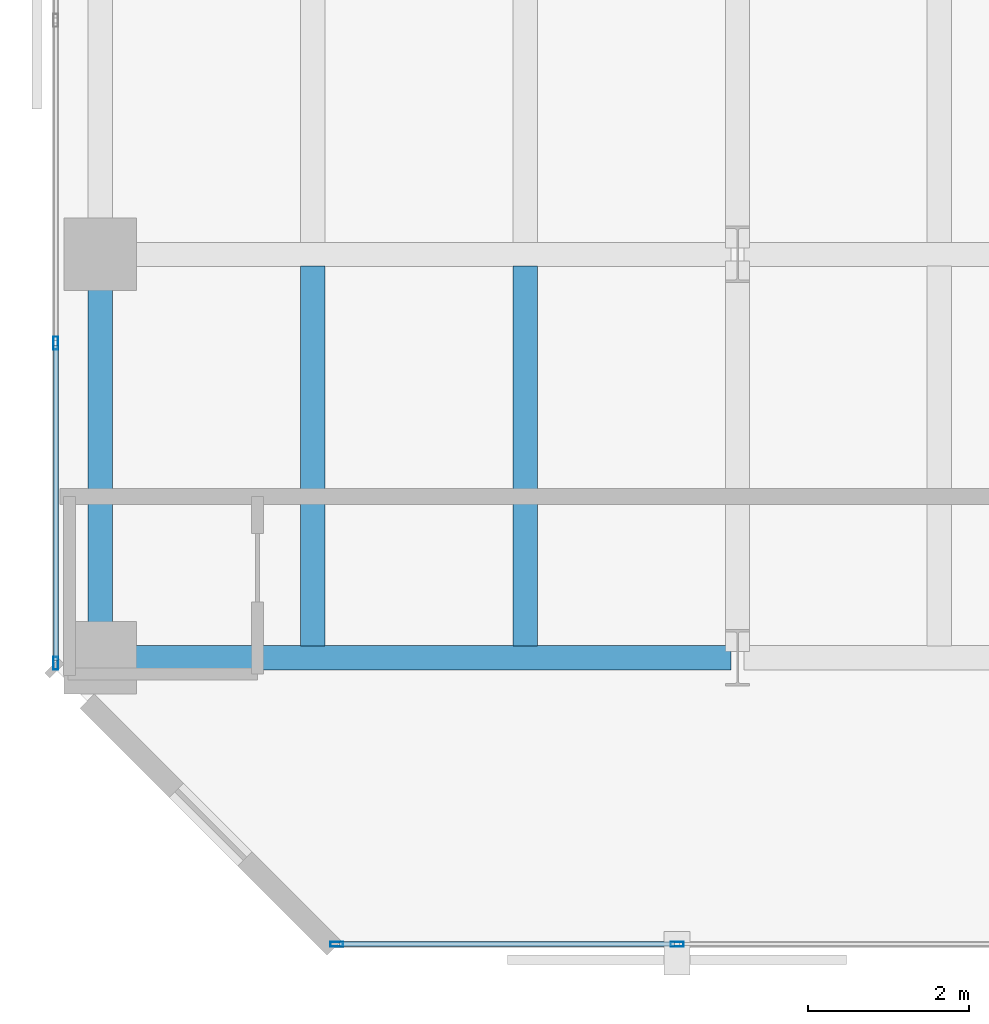
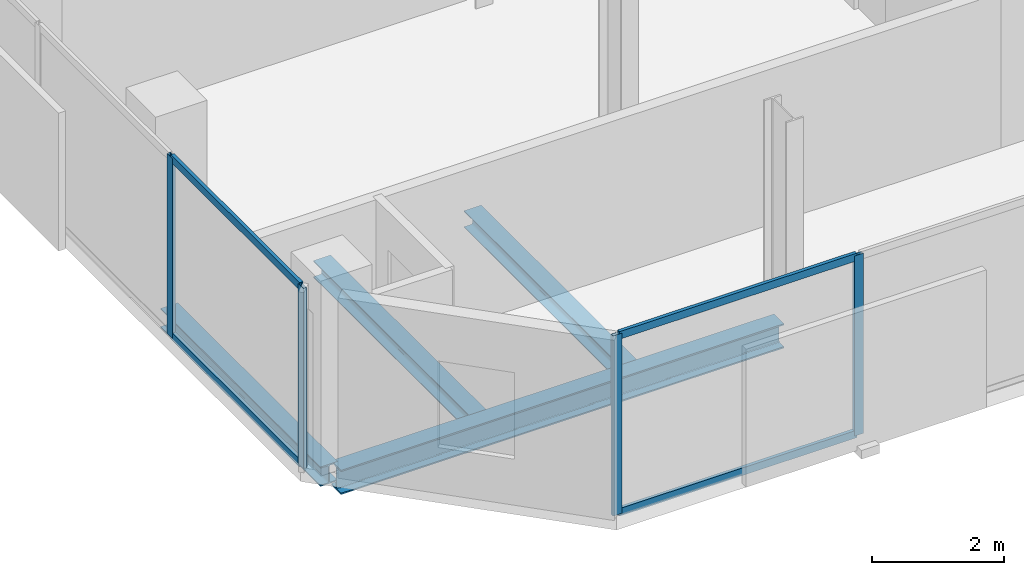
# One storey, part 3 of 33: 8 members, 4 beams, 2 elements without a shape of their own.
"""IFC4 building model written with IfcOpenShell, lengths in metres."""

from ifc_helpers import new_model, si_unit, direction, frame, origin, origin_2d, place, context, subcontext, project, spatial, hollow_rectangle, i_section, extrude, material, layer, layer_set, material_profile, profile_set, type_object, element, aggregate, save


model = new_model("IFC4")

# Units and contexts
model_context = context("Model", 3, precision=1e-05, world=origin(), true_north=direction((0.0, 1.0)))
body_context = subcontext(model_context, "Body", "Model", "MODEL_VIEW")
ifc_project = project(units=[si_unit("LENGTHUNIT", "METRE"), si_unit("AREAUNIT", "SQUARE_METRE"), si_unit("VOLUMEUNIT", "CUBIC_METRE"), si_unit("PLANEANGLEUNIT", "RADIAN"), si_unit("MASSUNIT", "GRAM", prefix="KILO")], contexts=[model_context])

# Site, building, storey
site_placement = place(None, origin())
site = spatial("IfcSite", under=ifc_project, at=site_placement, CompositionType="ELEMENT")
building_placement = place(site_placement, origin())
building = spatial("IfcBuilding", under=site, at=building_placement, Name="Catumbela Crestline Tower", CompositionType="ELEMENT")
storey_placement = place(building_placement, frame((0.0, 0.0, 104.4)))
storey = spatial("IfcBuildingStorey", under=building, at=storey_placement, Name="L26", CompositionType="ELEMENT", Elevation=104.4)

# Beams
ifc_material_1 = material(Name="Structural steel S355J2", Category="steel")
ifc_material_profile_1 = material_profile(ifc_material_1, i_section(OverallWidth=0.3, OverallDepth=0.45, WebThickness=0.014, FlangeThickness=0.026, FilletRadius=0.027, at=origin_2d()), Name="HEB 450")
ifc_profile_set_1 = profile_set([ifc_material_profile_1], Name="Structural steel S355J2")
beam_type_1 = type_object("IfcBeamType", Name="BG-HEB450", PredefinedType="BEAM", material=ifc_profile_set_1)
beam_1_placement = place(storey_placement, frame((0.68, 8.6, -0.485), z_axis=(1.0, 0.0, 0.0), x_axis=(0.0, 1.0, 0.0)))
element("IfcBeam", 1, at=beam_1_placement, inside=storey, type_object=beam_type_1, Name="L26 Beam BM-L26-WEW43", PredefinedType="BEAM", context=body_context, shape_type="SweptSolid", body=[
    extrude(i_section(OverallWidth=0.3, OverallDepth=0.45, WebThickness=0.014, FlangeThickness=0.026, FilletRadius=0.027, at=origin_2d()), origin(), (0.0, 0.0, 1.0), 7.74),
])
ifc_material_profile_2 = material_profile(ifc_material_1, i_section(OverallWidth=0.3, OverallDepth=0.31, WebThickness=0.009, FlangeThickness=0.0155, FilletRadius=0.027, at=origin_2d()), Name="HEA 320")
ifc_profile_set_2 = profile_set([ifc_material_profile_2], Name="Structural steel S355J2")
beam_type_2 = type_object("IfcBeamType", Name="BJ-HEA320", PredefinedType="JOIST", material=ifc_profile_set_2)
for number, where, z_axis, x_axis, name in (
    (2, (3.233, 8.747, -0.415), (0.0, 1.0, 0.0), (-1.0, 0.0, 0.0), "L26 Joist JS-L26-WG63"),
    (3, (5.867, 8.747, -0.415), (0.0, 1.0, 0.0), (-1.0, 0.0, 0.0), "L26 Joist JS-L26-WG64"),
):
    element("IfcBeam", number, at=place(storey_placement, frame(where, z_axis=z_axis, x_axis=x_axis)), inside=storey, type_object=beam_type_2, Name=name, PredefinedType="JOIST", context=body_context, shape_type="SweptSolid", body=[
        extrude(i_section(OverallWidth=0.3, OverallDepth=0.31, WebThickness=0.009, FlangeThickness=0.0155, FilletRadius=0.027, at=origin_2d()), origin(), (0.0, 0.0, 1.0), 4.706),
    ])

# Curtain wall, members
ifc_material_2 = material(Name="Aluminium alloy AW-6060-T66", Category="aluminium")
ifc_layer = layer(ifc_material_2, 0.18, Name="Aluminium alloy AW-6060-T66")
ifc_layer_set = layer_set([ifc_layer], Name="Aluminium alloy AW-6060-T66")
curtain_wall_type = type_object("IfcCurtainWallType", Name="CWU-Z2", PredefinedType="USERDEFINED", material=ifc_layer_set)
curtain_wall_1_placement = place(storey_placement, origin())
curtain_wall_1 = element("IfcCurtainWall", 4, at=curtain_wall_1_placement, inside=storey, type_object=curtain_wall_type, Name="L26 Unitised Curtain Wall CW-L26-E0S1", ObjectType="UNITISED", PredefinedType="USERDEFINED")
ifc_material_profile_3 = material_profile(ifc_material_2, hollow_rectangle(XDim=0.06, YDim=0.16, WallThickness=0.004, at=origin_2d()), Name="ALU 160x60x4")
ifc_profile_set_3 = profile_set([ifc_material_profile_3], Name="Aluminium alloy AW-6060-T66")
member_type_1 = type_object("IfcMemberType", Name="MUL-160X60", PredefinedType="MULLION", material=ifc_profile_set_3)
member_1_placement = place(storey_placement, frame((3.5325, 5.05, 0.0), z_axis=(0.0, 0.0, 1.0), x_axis=(0.0, 1.0, 0.0)))
member_1 = element("IfcMember", 5, at=member_1_placement, type_object=member_type_1, Name="CWU-Z2 mullion 1", PredefinedType="MULLION", context=body_context, shape_type="SweptSolid", body=[
    extrude(hollow_rectangle(XDim=0.06, YDim=0.16, WallThickness=0.004, at=origin_2d()), origin(), (0.0, 0.0, 1.0), 3.33),
])
member_2_placement = place(storey_placement, frame((7.75, 5.05, 0.0), z_axis=(0.0, 0.0, 1.0), x_axis=(0.0, 1.0, 0.0)))
member_2 = element("IfcMember", 6, at=member_2_placement, type_object=member_type_1, Name="CWU-Z2 mullion 2", PredefinedType="MULLION", context=body_context, shape_type="SweptSolid", body=[
    extrude(hollow_rectangle(XDim=0.06, YDim=0.16, WallThickness=0.004, at=origin_2d()), origin(), (0.0, 0.0, 1.0), 3.33),
])

curtain_wall_2_placement = place(storey_placement, origin())
curtain_wall_2 = element("IfcCurtainWall", 7, at=curtain_wall_2_placement, inside=storey, type_object=curtain_wall_type, Name="L26 Unitised Curtain Wall CW-L26-E9S1", ObjectType="UNITISED", PredefinedType="USERDEFINED")
member_3_placement = place(storey_placement, frame((0.05, 12.5, 0.0), z_axis=(0.0, 0.0, 1.0), x_axis=(1.0, 0.0, 0.0)))
member_3 = element("IfcMember", 8, at=member_3_placement, type_object=member_type_1, Name="CWU-Z2 mullion 9", PredefinedType="MULLION", context=body_context, shape_type="SweptSolid", body=[
    extrude(hollow_rectangle(XDim=0.06, YDim=0.16, WallThickness=0.004, at=origin_2d()), origin(), (0.0, 0.0, 1.0), 3.33),
])
member_4_placement = place(storey_placement, frame((0.05, 8.5325, 0.0), z_axis=(0.0, 0.0, 1.0), x_axis=(1.0, 0.0, 0.0)))
member_4 = element("IfcMember", 9, at=member_4_placement, type_object=member_type_1, Name="CWU-Z2 mullion 10", PredefinedType="MULLION", context=body_context, shape_type="SweptSolid", body=[
    extrude(hollow_rectangle(XDim=0.06, YDim=0.16, WallThickness=0.004, at=origin_2d()), origin(), (0.0, 0.0, 1.0), 3.33),
])

# Beam
ifc_material_profile_4 = material_profile(ifc_material_1, i_section(OverallWidth=0.3, OverallDepth=0.36, WebThickness=0.0125, FlangeThickness=0.0225, FilletRadius=0.027, at=origin_2d()), Name="HEB 360")
ifc_profile_set_4 = profile_set([ifc_material_profile_4], Name="Structural steel S355J2")
beam_type_3 = type_object("IfcBeamType", Name="BS-HEB360", PredefinedType="SPANDREL", material=ifc_profile_set_4)
beam_2_placement = place(storey_placement, frame((0.6, 8.68, -0.44), z_axis=(0.0, 1.0, 0.0), x_axis=(-1.0, 0.0, 0.0)))
element("IfcBeam", 10, at=beam_2_placement, inside=storey, type_object=beam_type_3, Name="L26 Spandrel SP-L26-WNS52", PredefinedType="SPANDREL", context=body_context, shape_type="SweptSolid", body=[
    extrude(i_section(OverallWidth=0.3, OverallDepth=0.36, WebThickness=0.0125, FlangeThickness=0.0225, FilletRadius=0.027, at=origin_2d()), origin(), (0.0, 0.0, 1.0), 4.84),
])

# Member
ifc_material_profile_5 = material_profile(ifc_material_2, hollow_rectangle(XDim=0.06, YDim=0.14, WallThickness=0.004, at=origin_2d()), Name="ALU 140x60x4")
ifc_profile_set_5 = profile_set([ifc_material_profile_5], Name="Aluminium alloy AW-6060-T66")
member_type_2 = type_object("IfcMemberType", Name="TRN-140X60", PredefinedType="USERDEFINED", material=ifc_profile_set_5)
member_5_placement = place(storey_placement, frame((3.565, 5.05, 0.03), z_axis=(1.0, 0.0, 0.0), x_axis=(0.0, 1.0, 0.0)))
member_5 = element("IfcMember", 11, at=member_5_placement, type_object=member_type_2, Name="CWU-Z2 transom 1.1", ObjectType="TRANSOM", PredefinedType="USERDEFINED", context=body_context, shape_type="SweptSolid", body=[
    extrude(hollow_rectangle(XDim=0.06, YDim=0.14, WallThickness=0.004, at=origin_2d()), origin(), (0.0, 0.0, 1.0), 4.1525),
])

member_6_placement = place(storey_placement, frame((3.565, 5.05, 3.3), z_axis=(1.0, 0.0, 0.0), x_axis=(0.0, 1.0, 0.0)))
member_6 = element("IfcMember", 12, at=member_6_placement, type_object=member_type_2, Name="CWU-Z2 transom 1.2", ObjectType="TRANSOM", PredefinedType="USERDEFINED", context=body_context, shape_type="SweptSolid", body=[
    extrude(hollow_rectangle(XDim=0.06, YDim=0.14, WallThickness=0.004, at=origin_2d()), origin(), (0.0, 0.0, 1.0), 4.1525),
])

aggregate(curtain_wall_1, [member_1, member_2, member_5, member_6])

member_7_placement = place(storey_placement, frame((0.05, 12.4675, 0.03), z_axis=(0.0, -1.0, 0.0), x_axis=(1.0, 0.0, 0.0)))
member_7 = element("IfcMember", 13, at=member_7_placement, type_object=member_type_2, Name="CWU-Z2 transom 9.1", ObjectType="TRANSOM", PredefinedType="USERDEFINED", context=body_context, shape_type="SweptSolid", body=[
    extrude(hollow_rectangle(XDim=0.06, YDim=0.14, WallThickness=0.004, at=origin_2d()), origin(), (0.0, 0.0, 1.0), 3.9025),
])

member_8_placement = place(storey_placement, frame((0.05, 12.4675, 3.3), z_axis=(0.0, -1.0, 0.0), x_axis=(1.0, 0.0, 0.0)))
member_8 = element("IfcMember", 14, at=member_8_placement, type_object=member_type_2, Name="CWU-Z2 transom 9.2", ObjectType="TRANSOM", PredefinedType="USERDEFINED", context=body_context, shape_type="SweptSolid", body=[
    extrude(hollow_rectangle(XDim=0.06, YDim=0.14, WallThickness=0.004, at=origin_2d()), origin(), (0.0, 0.0, 1.0), 3.9025),
])

aggregate(curtain_wall_2, [member_3, member_4, member_7, member_8])

save(model, "model.ifc")
